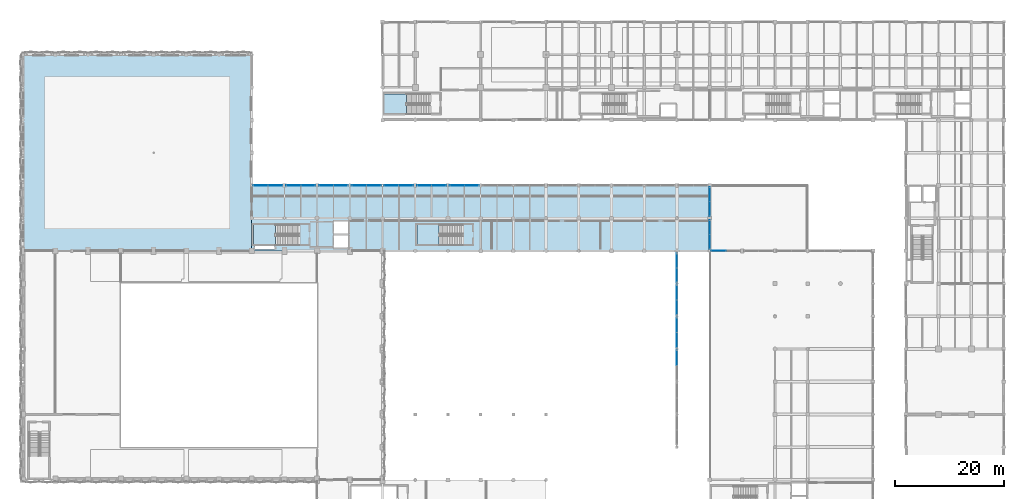
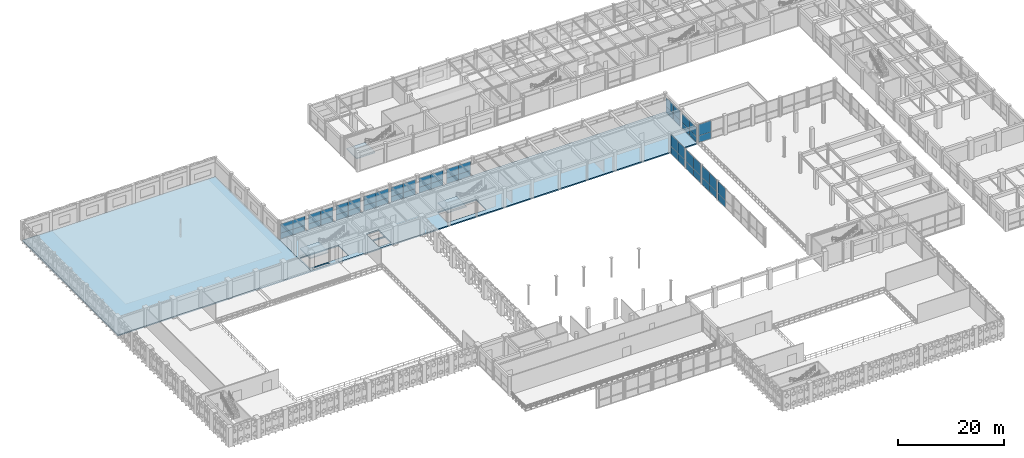
# One storey, part 78 of 116: 52 plates, 5 slabs, 17 elements without a shape of their own.
"""IFC4 building model written with IfcOpenShell, lengths in metres."""

from ifc_helpers import new_model, si_unit, direction, frame, frame_2d, origin, place, context, subcontext, project, spatial, polyline, rectangle, outline, extrude, material, layer, layer_set, type_object, element, aggregate, save


model = new_model("IFC4")

# Units and contexts
model_context = context("Model", 3, precision=1e-05, world=origin(), true_north=direction((0.0, 1.0)))
body_context = subcontext(model_context, "Body", "Model", "MODEL_VIEW")
ifc_project = project(units=[si_unit("LENGTHUNIT", "METRE"), si_unit("AREAUNIT", "SQUARE_METRE"), si_unit("VOLUMEUNIT", "CUBIC_METRE"), si_unit("PLANEANGLEUNIT", "RADIAN"), si_unit("MASSUNIT", "GRAM", prefix="KILO"), si_unit("THERMODYNAMICTEMPERATUREUNIT", "KELVIN"), si_unit("POWERUNIT", "WATT")], contexts=[model_context])

# Site, building, storey
site_placement = place(None, origin())
site = spatial("IfcSite", under=ifc_project, at=site_placement, CompositionType="ELEMENT")
building_placement = place(site_placement, origin())
building = spatial("IfcBuilding", under=site, at=building_placement, Name="Phaisarnlok Congress Hotel", CompositionType="ELEMENT")
storey_placement = place(building_placement, frame((0.0, 0.0, 10.5)))
storey = spatial("IfcBuildingStorey", under=building, at=storey_placement, Name="L02", CompositionType="ELEMENT", Elevation=10.5)

# Curtain wall, plates
ifc_material_1 = material(Name="Thermally Broken Unitised Aluminium & Low-E Glazing", Category="aluminium")
curtain_wall_type_1 = type_object("IfcCurtainWallType", Name="CW-UNIT-26", PredefinedType="NOTDEFINED", material=ifc_material_1)
curtain_wall_1_placement = place(storey_placement, origin())
curtain_wall_1 = element("IfcCurtainWall", 1, at=curtain_wall_1_placement, inside=storey, type_object=curtain_wall_type_1, Name="Unitised curtain wall CW-26 (L02)", PredefinedType="NOTDEFINED")
ifc_material_2 = material(Name="Double Low-E Insulated Glazing", Category="glass")
ifc_layer_1 = layer(ifc_material_2, 0.028076171875, Name="Double Low-E Insulated Glazing")
ifc_layer_set_1 = layer_set([ifc_layer_1], Name="Double Low-E Insulated Glazing")
plate_type_1 = type_object("IfcPlateType", Name="CWP-GLZ-28", PredefinedType="CURTAIN_PANEL", material=ifc_layer_set_1)
plate_1_placement = place(storey_placement, frame((128.93701171875, 84.0, 0.0400390625), z_axis=(0.0, 0.0, 1.0), x_axis=(-1.0, 0.0, 0.0)))
plate_1 = element("IfcPlate", 2, at=plate_1_placement, type_object=plate_type_1, Name="Glazed curtain panel CWP-01", PredefinedType="CURTAIN_PANEL", context=body_context, shape_type="SweptSolid", body=[
    extrude(rectangle(XDim=2.657958984375, YDim=0.028076171875, at=frame_2d((1.3291015625, 0.0))), origin(), (0.0, 0.0, 1.0), 1.571044921875),
])
plate_2_placement = place(storey_placement, frame((128.93701171875, 84.0, 1.611083984375), z_axis=(0.0, 0.0, 1.0), x_axis=(-1.0, 0.0, 0.0)))
plate_2 = element("IfcPlate", 3, at=plate_2_placement, type_object=plate_type_1, Name="Glazed curtain panel CWP-01", PredefinedType="CURTAIN_PANEL", context=body_context, shape_type="SweptSolid", body=[
    extrude(rectangle(XDim=2.657958984375, YDim=0.028076171875, at=frame_2d((1.3291015625, 0.0))), origin(), (0.0, 0.0, 1.0), 2.5888671875),
])
aggregate(curtain_wall_1, [plate_1, plate_2])

curtain_wall_type_2 = type_object("IfcCurtainWallType", Name="CW-UNIT-17", PredefinedType="NOTDEFINED", material=ifc_material_1)
curtain_wall_2_placement = place(storey_placement, origin())
curtain_wall_2 = element("IfcCurtainWall", 4, at=curtain_wall_2_placement, inside=storey, type_object=curtain_wall_type_2, Name="Unitised curtain wall CW-17 (L02)", PredefinedType="NOTDEFINED")
plate_3_placement = place(storey_placement, frame((126.0, 84.279052734375, 0.0400390625), z_axis=(0.0, 0.0, 1.0), x_axis=(0.0, 1.0, 0.0)))
plate_3 = element("IfcPlate", 5, at=plate_3_placement, type_object=plate_type_1, Name="Glazed curtain panel CWP-01", PredefinedType="CURTAIN_PANEL", context=body_context, shape_type="SweptSolid", body=[
    extrude(rectangle(XDim=2.657958984375, YDim=0.028076171875, at=frame_2d((1.3291015625, 0.0))), origin(), (0.0, 0.0, 1.0), 1.293701171875),
])
plate_4_placement = place(storey_placement, frame((126.0, 84.279052734375, 1.333740234375), z_axis=(0.0, 0.0, 1.0), x_axis=(0.0, 1.0, 0.0)))
plate_4 = element("IfcPlate", 6, at=plate_4_placement, type_object=plate_type_1, Name="Glazed curtain panel CWP-01", PredefinedType="CURTAIN_PANEL", context=body_context, shape_type="SweptSolid", body=[
    extrude(rectangle(XDim=2.657958984375, YDim=0.028076171875, at=frame_2d((1.3291015625, 0.0))), origin(), (0.0, 0.0, 1.0), 2.13623046875),
])
plate_5_placement = place(storey_placement, frame((126.0, 86.967041015625, 0.0400390625), z_axis=(0.0, 0.0, 1.0), x_axis=(0.0, 1.0, 0.0)))
plate_5 = element("IfcPlate", 7, at=plate_5_placement, type_object=plate_type_1, Name="Glazed curtain panel CWP-01", PredefinedType="CURTAIN_PANEL", context=body_context, shape_type="SweptSolid", body=[
    extrude(rectangle(XDim=2.657958984375, YDim=0.028076171875, at=frame_2d((1.3291015625, 0.0))), origin(), (0.0, 0.0, 1.0), 1.293701171875),
])
plate_6_placement = place(storey_placement, frame((126.0, 86.967041015625, 1.333740234375), z_axis=(0.0, 0.0, 1.0), x_axis=(0.0, 1.0, 0.0)))
plate_6 = element("IfcPlate", 8, at=plate_6_placement, type_object=plate_type_1, Name="Glazed curtain panel CWP-01", PredefinedType="CURTAIN_PANEL", context=body_context, shape_type="SweptSolid", body=[
    extrude(rectangle(XDim=2.657958984375, YDim=0.028076171875, at=frame_2d((1.3291015625, 0.0))), origin(), (0.0, 0.0, 1.0), 2.13623046875),
])
aggregate(curtain_wall_2, [plate_3, plate_4, plate_5, plate_6])

curtain_wall_type_3 = type_object("IfcCurtainWallType", Name="CW-UNIT-16", PredefinedType="NOTDEFINED", material=ifc_material_1)
curtain_wall_3_placement = place(storey_placement, origin())
curtain_wall_3 = element("IfcCurtainWall", 9, at=curtain_wall_3_placement, inside=storey, type_object=curtain_wall_type_3, Name="Unitised curtain wall CW-16 (L02)", PredefinedType="NOTDEFINED")
plate_7_placement = place(storey_placement, frame((126.0, 90.375, 0.0400390625), z_axis=(0.0, 0.0, 1.0), x_axis=(0.0, 1.0, 0.0)))
plate_7 = element("IfcPlate", 10, at=plate_7_placement, type_object=plate_type_1, Name="Glazed curtain panel CWP-01", PredefinedType="CURTAIN_PANEL", context=body_context, shape_type="SweptSolid", body=[
    extrude(rectangle(XDim=2.62255859375, YDim=0.028076171875, at=frame_2d((1.311279296875, 0.0))), origin(), (0.0, 0.0, 1.0), 1.293701171875),
])
plate_8_placement = place(storey_placement, frame((126.0, 90.375, 1.333740234375), z_axis=(0.0, 0.0, 1.0), x_axis=(0.0, 1.0, 0.0)))
plate_8 = element("IfcPlate", 11, at=plate_8_placement, type_object=plate_type_1, Name="Glazed curtain panel CWP-01", PredefinedType="CURTAIN_PANEL", context=body_context, shape_type="SweptSolid", body=[
    extrude(rectangle(XDim=2.62255859375, YDim=0.028076171875, at=frame_2d((1.311279296875, 0.0))), origin(), (0.0, 0.0, 1.0), 2.13623046875),
])
plate_9_placement = place(storey_placement, frame((126.0, 93.027587890625, 0.0400390625), z_axis=(0.0, 0.0, 1.0), x_axis=(0.0, 1.0, 0.0)))
plate_9 = element("IfcPlate", 12, at=plate_9_placement, type_object=plate_type_1, Name="Glazed curtain panel CWP-01", PredefinedType="CURTAIN_PANEL", context=body_context, shape_type="SweptSolid", body=[
    extrude(rectangle(XDim=2.622314453125, YDim=0.028076171875, at=frame_2d((1.31103515625, 0.0))), origin(), (0.0, 0.0, 1.0), 1.293701171875),
])
plate_10_placement = place(storey_placement, frame((126.0, 93.027587890625, 1.333740234375), z_axis=(0.0, 0.0, 1.0), x_axis=(0.0, 1.0, 0.0)))
plate_10 = element("IfcPlate", 13, at=plate_10_placement, type_object=plate_type_1, Name="Glazed curtain panel CWP-01", PredefinedType="CURTAIN_PANEL", context=body_context, shape_type="SweptSolid", body=[
    extrude(rectangle(XDim=2.622314453125, YDim=0.028076171875, at=frame_2d((1.31103515625, 0.0))), origin(), (0.0, 0.0, 1.0), 2.13623046875),
])
aggregate(curtain_wall_3, [plate_7, plate_8, plate_9, plate_10])

curtain_wall_4_placement = place(storey_placement, origin())
curtain_wall_4 = element("IfcCurtainWall", 14, at=curtain_wall_4_placement, inside=storey, type_object=curtain_wall_type_3, Name="Unitised curtain wall CW-16 (L02)", PredefinedType="NOTDEFINED")
plate_11_placement = place(storey_placement, frame((83.625, 96.0, 0.0400390625), z_axis=(0.0, 0.0, 1.0), x_axis=(-1.0, 0.0, 0.0)))
plate_11 = element("IfcPlate", 15, at=plate_11_placement, type_object=plate_type_1, Name="Glazed curtain panel CWP-01", PredefinedType="CURTAIN_PANEL", context=body_context, shape_type="SweptSolid", body=[
    extrude(rectangle(XDim=2.62255859375, YDim=0.028076171875, at=frame_2d((1.311279296875, 0.0))), origin(), (0.0, 0.0, 1.0), 1.2861328125),
])
plate_12_placement = place(storey_placement, frame((83.625, 96.0, 1.326171875), z_axis=(0.0, 0.0, 1.0), x_axis=(-1.0, 0.0, 0.0)))
plate_12 = element("IfcPlate", 16, at=plate_12_placement, type_object=plate_type_1, Name="Glazed curtain panel CWP-01", PredefinedType="CURTAIN_PANEL", context=body_context, shape_type="SweptSolid", body=[
    extrude(rectangle(XDim=2.62255859375, YDim=0.028076171875, at=frame_2d((1.311279296875, 0.0))), origin(), (0.0, 0.0, 1.0), 2.123779296875),
])
plate_13_placement = place(storey_placement, frame((80.972412109375, 96.0, 0.0400390625), z_axis=(0.0, 0.0, 1.0), x_axis=(-1.0, 0.0, 0.0)))
plate_13 = element("IfcPlate", 17, at=plate_13_placement, type_object=plate_type_1, Name="Glazed curtain panel CWP-01", PredefinedType="CURTAIN_PANEL", context=body_context, shape_type="SweptSolid", body=[
    extrude(rectangle(XDim=2.622314453125, YDim=0.028076171875, at=frame_2d((1.31103515625, 0.0))), origin(), (0.0, 0.0, 1.0), 1.2861328125),
])
plate_14_placement = place(storey_placement, frame((80.972412109375, 96.0, 1.326171875), z_axis=(0.0, 0.0, 1.0), x_axis=(-1.0, 0.0, 0.0)))
plate_14 = element("IfcPlate", 18, at=plate_14_placement, type_object=plate_type_1, Name="Glazed curtain panel CWP-01", PredefinedType="CURTAIN_PANEL", context=body_context, shape_type="SweptSolid", body=[
    extrude(rectangle(XDim=2.622314453125, YDim=0.028076171875, at=frame_2d((1.31103515625, 0.0))), origin(), (0.0, 0.0, 1.0), 2.123779296875),
])
aggregate(curtain_wall_4, [plate_11, plate_12, plate_13, plate_14])

curtain_wall_5_placement = place(storey_placement, origin())
curtain_wall_5 = element("IfcCurtainWall", 19, at=curtain_wall_5_placement, inside=storey, type_object=curtain_wall_type_3, Name="Unitised curtain wall CW-16 (L02)", PredefinedType="NOTDEFINED")
plate_15_placement = place(storey_placement, frame((77.64990234375, 96.0, 0.0400390625), z_axis=(0.0, 0.0, 1.0), x_axis=(-1.0, 0.0, 0.0)))
plate_15 = element("IfcPlate", 20, at=plate_15_placement, type_object=plate_type_1, Name="Glazed curtain panel CWP-01", PredefinedType="CURTAIN_PANEL", context=body_context, shape_type="SweptSolid", body=[
    extrude(rectangle(XDim=2.622314453125, YDim=0.028076171875, at=frame_2d((1.31103515625, 0.0))), origin(), (0.0, 0.0, 1.0), 1.2861328125),
])
plate_16_placement = place(storey_placement, frame((77.64990234375, 96.0, 1.326171875), z_axis=(0.0, 0.0, 1.0), x_axis=(-1.0, 0.0, 0.0)))
plate_16 = element("IfcPlate", 21, at=plate_16_placement, type_object=plate_type_1, Name="Glazed curtain panel CWP-01", PredefinedType="CURTAIN_PANEL", context=body_context, shape_type="SweptSolid", body=[
    extrude(rectangle(XDim=2.622314453125, YDim=0.028076171875, at=frame_2d((1.31103515625, 0.0))), origin(), (0.0, 0.0, 1.0), 2.123779296875),
])
plate_17_placement = place(storey_placement, frame((74.99755859375, 96.0, 0.0400390625), z_axis=(0.0, 0.0, 1.0), x_axis=(-1.0, 0.0, 0.0)))
plate_17 = element("IfcPlate", 22, at=plate_17_placement, type_object=plate_type_1, Name="Glazed curtain panel CWP-01", PredefinedType="CURTAIN_PANEL", context=body_context, shape_type="SweptSolid", body=[
    extrude(rectangle(XDim=2.62255859375, YDim=0.028076171875, at=frame_2d((1.311279296875, 0.0))), origin(), (0.0, 0.0, 1.0), 1.2861328125),
])
plate_18_placement = place(storey_placement, frame((74.99755859375, 96.0, 1.326171875), z_axis=(0.0, 0.0, 1.0), x_axis=(-1.0, 0.0, 0.0)))
plate_18 = element("IfcPlate", 23, at=plate_18_placement, type_object=plate_type_1, Name="Glazed curtain panel CWP-01", PredefinedType="CURTAIN_PANEL", context=body_context, shape_type="SweptSolid", body=[
    extrude(rectangle(XDim=2.62255859375, YDim=0.028076171875, at=frame_2d((1.311279296875, 0.0))), origin(), (0.0, 0.0, 1.0), 2.123779296875),
])
aggregate(curtain_wall_5, [plate_15, plate_16, plate_17, plate_18])

curtain_wall_6_placement = place(storey_placement, origin())
curtain_wall_6 = element("IfcCurtainWall", 24, at=curtain_wall_6_placement, inside=storey, type_object=curtain_wall_type_2, Name="Unitised curtain wall CW-17 (L02)", PredefinedType="NOTDEFINED")
plate_19_placement = place(storey_placement, frame((71.625, 96.0, 0.0400390625), z_axis=(0.0, 0.0, 1.0), x_axis=(-1.0, 0.0, 0.0)))
plate_19 = element("IfcPlate", 25, at=plate_19_placement, type_object=plate_type_1, Name="Glazed curtain panel CWP-01", PredefinedType="CURTAIN_PANEL", context=body_context, shape_type="SweptSolid", body=[
    extrude(rectangle(XDim=2.657958984375, YDim=0.028076171875, at=frame_2d((1.3291015625, 0.0))), origin(), (0.0, 0.0, 1.0), 1.2861328125),
])
plate_20_placement = place(storey_placement, frame((71.625, 96.0, 1.326171875), z_axis=(0.0, 0.0, 1.0), x_axis=(-1.0, 0.0, 0.0)))
plate_20 = element("IfcPlate", 26, at=plate_20_placement, type_object=plate_type_1, Name="Glazed curtain panel CWP-01", PredefinedType="CURTAIN_PANEL", context=body_context, shape_type="SweptSolid", body=[
    extrude(rectangle(XDim=2.657958984375, YDim=0.028076171875, at=frame_2d((1.3291015625, 0.0))), origin(), (0.0, 0.0, 1.0), 2.123779296875),
])
plate_21_placement = place(storey_placement, frame((68.93701171875, 96.0, 0.0400390625), z_axis=(0.0, 0.0, 1.0), x_axis=(-1.0, 0.0, 0.0)))
plate_21 = element("IfcPlate", 27, at=plate_21_placement, type_object=plate_type_1, Name="Glazed curtain panel CWP-01", PredefinedType="CURTAIN_PANEL", context=body_context, shape_type="SweptSolid", body=[
    extrude(rectangle(XDim=2.657958984375, YDim=0.028076171875, at=frame_2d((1.3291015625, 0.0))), origin(), (0.0, 0.0, 1.0), 1.2861328125),
])
plate_22_placement = place(storey_placement, frame((68.93701171875, 96.0, 1.326171875), z_axis=(0.0, 0.0, 1.0), x_axis=(-1.0, 0.0, 0.0)))
plate_22 = element("IfcPlate", 28, at=plate_22_placement, type_object=plate_type_1, Name="Glazed curtain panel CWP-01", PredefinedType="CURTAIN_PANEL", context=body_context, shape_type="SweptSolid", body=[
    extrude(rectangle(XDim=2.657958984375, YDim=0.028076171875, at=frame_2d((1.3291015625, 0.0))), origin(), (0.0, 0.0, 1.0), 2.123779296875),
])
aggregate(curtain_wall_6, [plate_19, plate_20, plate_21, plate_22])

curtain_wall_7_placement = place(storey_placement, origin())
curtain_wall_7 = element("IfcCurtainWall", 29, at=curtain_wall_7_placement, inside=storey, type_object=curtain_wall_type_2, Name="Unitised curtain wall CW-17 (L02)", PredefinedType="NOTDEFINED")
plate_23_placement = place(storey_placement, frame((65.720947265625, 96.0, 0.0400390625), z_axis=(0.0, 0.0, 1.0), x_axis=(-1.0, 0.0, 0.0)))
plate_23 = element("IfcPlate", 30, at=plate_23_placement, type_object=plate_type_1, Name="Glazed curtain panel CWP-01", PredefinedType="CURTAIN_PANEL", context=body_context, shape_type="SweptSolid", body=[
    extrude(rectangle(XDim=2.657958984375, YDim=0.028076171875, at=frame_2d((1.3291015625, 0.0))), origin(), (0.0, 0.0, 1.0), 1.2861328125),
])
plate_24_placement = place(storey_placement, frame((65.720947265625, 96.0, 1.326171875), z_axis=(0.0, 0.0, 1.0), x_axis=(-1.0, 0.0, 0.0)))
plate_24 = element("IfcPlate", 31, at=plate_24_placement, type_object=plate_type_1, Name="Glazed curtain panel CWP-01", PredefinedType="CURTAIN_PANEL", context=body_context, shape_type="SweptSolid", body=[
    extrude(rectangle(XDim=2.657958984375, YDim=0.028076171875, at=frame_2d((1.3291015625, 0.0))), origin(), (0.0, 0.0, 1.0), 2.123779296875),
])
plate_25_placement = place(storey_placement, frame((63.032958984375, 96.0, 0.0400390625), z_axis=(0.0, 0.0, 1.0), x_axis=(-1.0, 0.0, 0.0)))
plate_25 = element("IfcPlate", 32, at=plate_25_placement, type_object=plate_type_1, Name="Glazed curtain panel CWP-01", PredefinedType="CURTAIN_PANEL", context=body_context, shape_type="SweptSolid", body=[
    extrude(rectangle(XDim=2.657958984375, YDim=0.028076171875, at=frame_2d((1.3291015625, 0.0))), origin(), (0.0, 0.0, 1.0), 1.2861328125),
])
plate_26_placement = place(storey_placement, frame((63.032958984375, 96.0, 1.326171875), z_axis=(0.0, 0.0, 1.0), x_axis=(-1.0, 0.0, 0.0)))
plate_26 = element("IfcPlate", 33, at=plate_26_placement, type_object=plate_type_1, Name="Glazed curtain panel CWP-01", PredefinedType="CURTAIN_PANEL", context=body_context, shape_type="SweptSolid", body=[
    extrude(rectangle(XDim=2.657958984375, YDim=0.028076171875, at=frame_2d((1.3291015625, 0.0))), origin(), (0.0, 0.0, 1.0), 2.123779296875),
])
aggregate(curtain_wall_7, [plate_23, plate_24, plate_25, plate_26])

curtain_wall_8_placement = place(storey_placement, origin())
curtain_wall_8 = element("IfcCurtainWall", 34, at=curtain_wall_8_placement, inside=storey, type_object=curtain_wall_type_3, Name="Unitised curtain wall CW-16 (L02)", PredefinedType="NOTDEFINED")
plate_27_placement = place(storey_placement, frame((59.625, 96.0, 0.0400390625), z_axis=(0.0, 0.0, 1.0), x_axis=(-1.0, 0.0, 0.0)))
plate_27 = element("IfcPlate", 35, at=plate_27_placement, type_object=plate_type_1, Name="Glazed curtain panel CWP-01", PredefinedType="CURTAIN_PANEL", context=body_context, shape_type="SweptSolid", body=[
    extrude(rectangle(XDim=2.62255859375, YDim=0.028076171875, at=frame_2d((1.311279296875, 0.0))), origin(), (0.0, 0.0, 1.0), 1.2861328125),
])
plate_28_placement = place(storey_placement, frame((59.625, 96.0, 1.326171875), z_axis=(0.0, 0.0, 1.0), x_axis=(-1.0, 0.0, 0.0)))
plate_28 = element("IfcPlate", 36, at=plate_28_placement, type_object=plate_type_1, Name="Glazed curtain panel CWP-01", PredefinedType="CURTAIN_PANEL", context=body_context, shape_type="SweptSolid", body=[
    extrude(rectangle(XDim=2.62255859375, YDim=0.028076171875, at=frame_2d((1.311279296875, 0.0))), origin(), (0.0, 0.0, 1.0), 2.123779296875),
])
plate_29_placement = place(storey_placement, frame((56.972412109375, 96.0, 0.0400390625), z_axis=(0.0, 0.0, 1.0), x_axis=(-1.0, 0.0, 0.0)))
plate_29 = element("IfcPlate", 37, at=plate_29_placement, type_object=plate_type_1, Name="Glazed curtain panel CWP-01", PredefinedType="CURTAIN_PANEL", context=body_context, shape_type="SweptSolid", body=[
    extrude(rectangle(XDim=2.622314453125, YDim=0.028076171875, at=frame_2d((1.31103515625, 0.0))), origin(), (0.0, 0.0, 1.0), 1.2861328125),
])
plate_30_placement = place(storey_placement, frame((56.972412109375, 96.0, 1.326171875), z_axis=(0.0, 0.0, 1.0), x_axis=(-1.0, 0.0, 0.0)))
plate_30 = element("IfcPlate", 38, at=plate_30_placement, type_object=plate_type_1, Name="Glazed curtain panel CWP-01", PredefinedType="CURTAIN_PANEL", context=body_context, shape_type="SweptSolid", body=[
    extrude(rectangle(XDim=2.622314453125, YDim=0.028076171875, at=frame_2d((1.31103515625, 0.0))), origin(), (0.0, 0.0, 1.0), 2.123779296875),
])
aggregate(curtain_wall_8, [plate_27, plate_28, plate_29, plate_30])

curtain_wall_9_placement = place(storey_placement, origin())
curtain_wall_9 = element("IfcCurtainWall", 39, at=curtain_wall_9_placement, inside=storey, type_object=curtain_wall_type_3, Name="Unitised curtain wall CW-16 (L02)", PredefinedType="NOTDEFINED")
plate_31_placement = place(storey_placement, frame((53.64990234375, 96.0, 0.0400390625), z_axis=(0.0, 0.0, 1.0), x_axis=(-1.0, 0.0, 0.0)))
plate_31 = element("IfcPlate", 40, at=plate_31_placement, type_object=plate_type_1, Name="Glazed curtain panel CWP-01", PredefinedType="CURTAIN_PANEL", context=body_context, shape_type="SweptSolid", body=[
    extrude(rectangle(XDim=2.622314453125, YDim=0.028076171875, at=frame_2d((1.31103515625, 0.0))), origin(), (0.0, 0.0, 1.0), 1.2861328125),
])
plate_32_placement = place(storey_placement, frame((53.64990234375, 96.0, 1.326171875), z_axis=(0.0, 0.0, 1.0), x_axis=(-1.0, 0.0, 0.0)))
plate_32 = element("IfcPlate", 41, at=plate_32_placement, type_object=plate_type_1, Name="Glazed curtain panel CWP-01", PredefinedType="CURTAIN_PANEL", context=body_context, shape_type="SweptSolid", body=[
    extrude(rectangle(XDim=2.622314453125, YDim=0.028076171875, at=frame_2d((1.31103515625, 0.0))), origin(), (0.0, 0.0, 1.0), 2.123779296875),
])
plate_33_placement = place(storey_placement, frame((50.99755859375, 96.0, 0.0400390625), z_axis=(0.0, 0.0, 1.0), x_axis=(-1.0, 0.0, 0.0)))
plate_33 = element("IfcPlate", 42, at=plate_33_placement, type_object=plate_type_1, Name="Glazed curtain panel CWP-01", PredefinedType="CURTAIN_PANEL", context=body_context, shape_type="SweptSolid", body=[
    extrude(rectangle(XDim=2.62255859375, YDim=0.028076171875, at=frame_2d((1.311279296875, 0.0))), origin(), (0.0, 0.0, 1.0), 1.2861328125),
])
plate_34_placement = place(storey_placement, frame((50.99755859375, 96.0, 1.326171875), z_axis=(0.0, 0.0, 1.0), x_axis=(-1.0, 0.0, 0.0)))
plate_34 = element("IfcPlate", 43, at=plate_34_placement, type_object=plate_type_1, Name="Glazed curtain panel CWP-01", PredefinedType="CURTAIN_PANEL", context=body_context, shape_type="SweptSolid", body=[
    extrude(rectangle(XDim=2.62255859375, YDim=0.028076171875, at=frame_2d((1.311279296875, 0.0))), origin(), (0.0, 0.0, 1.0), 2.123779296875),
])
aggregate(curtain_wall_9, [plate_31, plate_32, plate_33, plate_34])

curtain_wall_10_placement = place(storey_placement, origin())
curtain_wall_10 = element("IfcCurtainWall", 44, at=curtain_wall_10_placement, inside=storey, type_object=curtain_wall_type_2, Name="Unitised curtain wall CW-17 (L02)", PredefinedType="NOTDEFINED")
plate_35_placement = place(storey_placement, frame((47.625, 96.0, 0.0400390625), z_axis=(0.0, 0.0, 1.0), x_axis=(-1.0, 0.0, 0.0)))
plate_35 = element("IfcPlate", 45, at=plate_35_placement, type_object=plate_type_1, Name="Glazed curtain panel CWP-01", PredefinedType="CURTAIN_PANEL", context=body_context, shape_type="SweptSolid", body=[
    extrude(rectangle(XDim=2.657958984375, YDim=0.028076171875, at=frame_2d((1.3291015625, 0.0))), origin(), (0.0, 0.0, 1.0), 1.2861328125),
])
plate_36_placement = place(storey_placement, frame((47.625, 96.0, 1.326171875), z_axis=(0.0, 0.0, 1.0), x_axis=(-1.0, 0.0, 0.0)))
plate_36 = element("IfcPlate", 46, at=plate_36_placement, type_object=plate_type_1, Name="Glazed curtain panel CWP-01", PredefinedType="CURTAIN_PANEL", context=body_context, shape_type="SweptSolid", body=[
    extrude(rectangle(XDim=2.657958984375, YDim=0.028076171875, at=frame_2d((1.3291015625, 0.0))), origin(), (0.0, 0.0, 1.0), 2.123779296875),
])
plate_37_placement = place(storey_placement, frame((44.93701171875, 96.0, 0.0400390625), z_axis=(0.0, 0.0, 1.0), x_axis=(-1.0, 0.0, 0.0)))
plate_37 = element("IfcPlate", 47, at=plate_37_placement, type_object=plate_type_1, Name="Glazed curtain panel CWP-01", PredefinedType="CURTAIN_PANEL", context=body_context, shape_type="SweptSolid", body=[
    extrude(rectangle(XDim=2.657958984375, YDim=0.028076171875, at=frame_2d((1.3291015625, 0.0))), origin(), (0.0, 0.0, 1.0), 1.2861328125),
])
plate_38_placement = place(storey_placement, frame((44.93701171875, 96.0, 1.326171875), z_axis=(0.0, 0.0, 1.0), x_axis=(-1.0, 0.0, 0.0)))
plate_38 = element("IfcPlate", 48, at=plate_38_placement, type_object=plate_type_1, Name="Glazed curtain panel CWP-01", PredefinedType="CURTAIN_PANEL", context=body_context, shape_type="SweptSolid", body=[
    extrude(rectangle(XDim=2.657958984375, YDim=0.028076171875, at=frame_2d((1.3291015625, 0.0))), origin(), (0.0, 0.0, 1.0), 2.123779296875),
])
aggregate(curtain_wall_10, [plate_35, plate_36, plate_37, plate_38])

curtain_wall_type_4 = type_object("IfcCurtainWallType", Name="CW-UNIT-44", PredefinedType="NOTDEFINED", material=ifc_material_1)
curtain_wall_11_placement = place(storey_placement, origin())
curtain_wall_11 = element("IfcCurtainWall", 49, at=curtain_wall_11_placement, inside=storey, type_object=curtain_wall_type_4, Name="Unitised curtain wall CW-44 (L02)", PredefinedType="NOTDEFINED")
ifc_material_3 = material(Name="Triple Acoustic Solar-Control Glazing", Category="glass")
ifc_layer_2 = layer(ifc_material_3, 0.035888671875, Name="Triple Acoustic Solar-Control Glazing")
ifc_layer_set_2 = layer_set([ifc_layer_2], Name="Triple Acoustic Solar-Control Glazing")
plate_type_2 = type_object("IfcPlateType", Name="CWP-GLZ-36", PredefinedType="CURTAIN_PANEL", material=ifc_layer_set_2)
plate_39_placement = place(storey_placement, frame((120.0, 65.739990234375, 0.030029296875), z_axis=(0.0, 0.0, 1.0), x_axis=(0.0, -1.0, 0.0)))
plate_39 = element("IfcPlate", 50, at=plate_39_placement, type_object=plate_type_2, Name="Glazed curtain panel CWP-02", PredefinedType="CURTAIN_PANEL", context=body_context, shape_type="SweptSolid", body=[
    extrude(rectangle(XDim=2.72509765625, YDim=0.028076171875, at=frame_2d((1.362548828125, 0.0))), origin(), (0.0, 0.0, 1.0), 1.677490234375),
])
plate_40_placement = place(storey_placement, frame((120.0, 65.739990234375, 1.70751953125), z_axis=(0.0, 0.0, 1.0), x_axis=(0.0, -1.0, 0.0)))
plate_40 = element("IfcPlate", 51, at=plate_40_placement, type_object=plate_type_2, Name="Glazed curtain panel CWP-02", PredefinedType="CURTAIN_PANEL", context=body_context, shape_type="SweptSolid", body=[
    extrude(rectangle(XDim=2.72509765625, YDim=0.028076171875, at=frame_2d((1.362548828125, 0.0))), origin(), (0.0, 0.0, 1.0), 2.762451171875),
])
aggregate(curtain_wall_11, [plate_39, plate_40])

curtain_wall_12_placement = place(storey_placement, origin())
curtain_wall_12 = element("IfcCurtainWall", 52, at=curtain_wall_12_placement, inside=storey, type_object=curtain_wall_type_4, Name="Unitised curtain wall CW-44 (L02)", PredefinedType="NOTDEFINED")
plate_41_placement = place(storey_placement, frame((120.0, 71.739990234375, 0.030029296875), z_axis=(0.0, 0.0, 1.0), x_axis=(0.0, -1.0, 0.0)))
plate_41 = element("IfcPlate", 53, at=plate_41_placement, type_object=plate_type_2, Name="Glazed curtain panel CWP-02", PredefinedType="CURTAIN_PANEL", context=body_context, shape_type="SweptSolid", body=[
    extrude(rectangle(XDim=2.72509765625, YDim=0.028076171875, at=frame_2d((1.362548828125, 0.0))), origin(), (0.0, 0.0, 1.0), 1.677490234375),
])
plate_42_placement = place(storey_placement, frame((120.0, 71.739990234375, 1.70751953125), z_axis=(0.0, 0.0, 1.0), x_axis=(0.0, -1.0, 0.0)))
plate_42 = element("IfcPlate", 54, at=plate_42_placement, type_object=plate_type_2, Name="Glazed curtain panel CWP-02", PredefinedType="CURTAIN_PANEL", context=body_context, shape_type="SweptSolid", body=[
    extrude(rectangle(XDim=2.72509765625, YDim=0.028076171875, at=frame_2d((1.362548828125, 0.0))), origin(), (0.0, 0.0, 1.0), 2.762451171875),
])
plate_43_placement = place(storey_placement, frame((120.0, 68.985107421875, 0.030029296875), z_axis=(0.0, 0.0, 1.0), x_axis=(0.0, -1.0, 0.0)))
plate_43 = element("IfcPlate", 55, at=plate_43_placement, type_object=plate_type_2, Name="Glazed curtain panel CWP-02", PredefinedType="CURTAIN_PANEL", context=body_context, shape_type="SweptSolid", body=[
    extrude(rectangle(XDim=2.72509765625, YDim=0.028076171875, at=frame_2d((1.362548828125, 0.0))), origin(), (0.0, 0.0, 1.0), 1.677490234375),
])
plate_44_placement = place(storey_placement, frame((120.0, 68.985107421875, 1.70751953125), z_axis=(0.0, 0.0, 1.0), x_axis=(0.0, -1.0, 0.0)))
plate_44 = element("IfcPlate", 56, at=plate_44_placement, type_object=plate_type_2, Name="Glazed curtain panel CWP-02", PredefinedType="CURTAIN_PANEL", context=body_context, shape_type="SweptSolid", body=[
    extrude(rectangle(XDim=2.72509765625, YDim=0.028076171875, at=frame_2d((1.362548828125, 0.0))), origin(), (0.0, 0.0, 1.0), 2.762451171875),
])
aggregate(curtain_wall_12, [plate_41, plate_42, plate_43, plate_44])

curtain_wall_13_placement = place(storey_placement, origin())
curtain_wall_13 = element("IfcCurtainWall", 57, at=curtain_wall_13_placement, inside=storey, type_object=curtain_wall_type_4, Name="Unitised curtain wall CW-44 (L02)", PredefinedType="NOTDEFINED")
plate_45_placement = place(storey_placement, frame((120.0, 77.739990234375, 0.030029296875), z_axis=(0.0, 0.0, 1.0), x_axis=(0.0, -1.0, 0.0)))
plate_45 = element("IfcPlate", 58, at=plate_45_placement, type_object=plate_type_2, Name="Glazed curtain panel CWP-02", PredefinedType="CURTAIN_PANEL", context=body_context, shape_type="SweptSolid", body=[
    extrude(rectangle(XDim=2.72509765625, YDim=0.028076171875, at=frame_2d((1.362548828125, 0.0))), origin(), (0.0, 0.0, 1.0), 1.677490234375),
])
plate_46_placement = place(storey_placement, frame((120.0, 77.739990234375, 1.70751953125), z_axis=(0.0, 0.0, 1.0), x_axis=(0.0, -1.0, 0.0)))
plate_46 = element("IfcPlate", 59, at=plate_46_placement, type_object=plate_type_2, Name="Glazed curtain panel CWP-02", PredefinedType="CURTAIN_PANEL", context=body_context, shape_type="SweptSolid", body=[
    extrude(rectangle(XDim=2.72509765625, YDim=0.028076171875, at=frame_2d((1.362548828125, 0.0))), origin(), (0.0, 0.0, 1.0), 2.762451171875),
])
plate_47_placement = place(storey_placement, frame((120.0, 74.985107421875, 0.030029296875), z_axis=(0.0, 0.0, 1.0), x_axis=(0.0, -1.0, 0.0)))
plate_47 = element("IfcPlate", 60, at=plate_47_placement, type_object=plate_type_2, Name="Glazed curtain panel CWP-02", PredefinedType="CURTAIN_PANEL", context=body_context, shape_type="SweptSolid", body=[
    extrude(rectangle(XDim=2.72509765625, YDim=0.028076171875, at=frame_2d((1.362548828125, 0.0))), origin(), (0.0, 0.0, 1.0), 1.677490234375),
])
plate_48_placement = place(storey_placement, frame((120.0, 74.985107421875, 1.70751953125), z_axis=(0.0, 0.0, 1.0), x_axis=(0.0, -1.0, 0.0)))
plate_48 = element("IfcPlate", 61, at=plate_48_placement, type_object=plate_type_2, Name="Glazed curtain panel CWP-02", PredefinedType="CURTAIN_PANEL", context=body_context, shape_type="SweptSolid", body=[
    extrude(rectangle(XDim=2.72509765625, YDim=0.028076171875, at=frame_2d((1.362548828125, 0.0))), origin(), (0.0, 0.0, 1.0), 2.762451171875),
])
aggregate(curtain_wall_13, [plate_45, plate_46, plate_47, plate_48])

curtain_wall_type_5 = type_object("IfcCurtainWallType", Name="CW-UNIT-41", PredefinedType="NOTDEFINED", material=ifc_material_1)
curtain_wall_14_placement = place(storey_placement, origin())
curtain_wall_14 = element("IfcCurtainWall", 62, at=curtain_wall_14_placement, inside=storey, type_object=curtain_wall_type_5, Name="Unitised curtain wall CW-41 (L02)", PredefinedType="NOTDEFINED")
plate_49_placement = place(storey_placement, frame((120.0, 83.52001953125, 0.030029296875), z_axis=(0.0, 0.0, 1.0), x_axis=(0.0, -1.0, 0.0)))
plate_49 = element("IfcPlate", 63, at=plate_49_placement, type_object=plate_type_2, Name="Glazed curtain panel CWP-02", PredefinedType="CURTAIN_PANEL", context=body_context, shape_type="SweptSolid", body=[
    extrude(rectangle(XDim=2.614990234375, YDim=0.028076171875, at=frame_2d((1.3076171875, 0.0))), origin(), (0.0, 0.0, 1.0), 1.677490234375),
])
plate_50_placement = place(storey_placement, frame((120.0, 83.52001953125, 1.70751953125), z_axis=(0.0, 0.0, 1.0), x_axis=(0.0, -1.0, 0.0)))
plate_50 = element("IfcPlate", 64, at=plate_50_placement, type_object=plate_type_2, Name="Glazed curtain panel CWP-02", PredefinedType="CURTAIN_PANEL", context=body_context, shape_type="SweptSolid", body=[
    extrude(rectangle(XDim=2.614990234375, YDim=0.028076171875, at=frame_2d((1.3076171875, 0.0))), origin(), (0.0, 0.0, 1.0), 2.762451171875),
])
plate_51_placement = place(storey_placement, frame((120.0, 80.875, 0.030029296875), z_axis=(0.0, 0.0, 1.0), x_axis=(0.0, -1.0, 0.0)))
plate_51 = element("IfcPlate", 65, at=plate_51_placement, type_object=plate_type_2, Name="Glazed curtain panel CWP-02", PredefinedType="CURTAIN_PANEL", context=body_context, shape_type="SweptSolid", body=[
    extrude(rectangle(XDim=2.614990234375, YDim=0.028076171875, at=frame_2d((1.3076171875, 0.0))), origin(), (0.0, 0.0, 1.0), 1.677490234375),
])
plate_52_placement = place(storey_placement, frame((120.0, 80.875, 1.70751953125), z_axis=(0.0, 0.0, 1.0), x_axis=(0.0, -1.0, 0.0)))
plate_52 = element("IfcPlate", 66, at=plate_52_placement, type_object=plate_type_2, Name="Glazed curtain panel CWP-02", PredefinedType="CURTAIN_PANEL", context=body_context, shape_type="SweptSolid", body=[
    extrude(rectangle(XDim=2.614990234375, YDim=0.028076171875, at=frame_2d((1.3076171875, 0.0))), origin(), (0.0, 0.0, 1.0), 2.762451171875),
])
aggregate(curtain_wall_14, [plate_49, plate_50, plate_51, plate_52])

# Slabs
ifc_material_4 = material(Name="Concrete C40/50", Category="concrete")
ifc_layer_3 = layer(ifc_material_4, 0.280029296875, Name="Concrete C40/50")
ifc_layer_set_3 = layer_set([ifc_layer_3], Name="Concrete C40/50")
slab_type_1 = type_object("IfcSlabType", Name="SLB-INT-280", PredefinedType="FLOOR", material=ifc_layer_set_3)
slab_1_placement = place(storey_placement, frame((0.0, 0.0, -0.280029296875)))
element("IfcSlab", 67, at=slab_1_placement, inside=storey, type_object=slab_type_1, Name="Floor slab SL-INT-280 (L02 v3)", PredefinedType="FLOOR", context=body_context, shape_type="SweptSolid", body=[
    extrude(outline(polyline([(42.0, 84.0), (42.0, 120.0), (0.0, 120.0), (0.0, 84.0), (42.0, 84.0)])), origin(), (0.0, 0.0, 1.0), 0.280029296875),
])
slab_2_placement = place(storey_placement, frame((0.0, 0.0, -0.280029296875)))
element("IfcSlab", 68, at=slab_2_placement, inside=storey, type_object=slab_type_1, Name="Floor slab SL-INT-280 (L02 v4_n)", PredefinedType="FLOOR", context=body_context, shape_type="SweptSolid", body=[
    extrude(outline(polyline([(126.0, 84.0), (126.0, 96.0), (42.0, 96.0), (42.0, 84.0), (126.0, 84.0)]), holes=[polyline([(50.719970703125, 88.800048828125), (42.300048828125, 88.800048828125), (42.300048828125, 85.0), (50.719970703125, 85.0), (50.719970703125, 88.800048828125)]), polyline([(80.719970703125, 88.800048828125), (72.300048828125, 88.800048828125), (72.300048828125, 85.0), (80.719970703125, 85.0), (80.719970703125, 88.800048828125)]), polyline([(59.75, 84.60009765625), (59.75, 86.85009765625), (57.10009765625, 86.85009765625), (57.10009765625, 84.60009765625), (59.75, 84.60009765625)]), polyline([(59.75, 87.14990234375), (59.75, 89.39990234375), (57.10009765625, 89.39990234375), (57.10009765625, 87.14990234375), (59.75, 87.14990234375)]), polyline([(46.199951171875, 84.25), (46.199951171875, 84.85009765625), (42.60009765625, 84.85009765625), (42.60009765625, 84.25), (46.199951171875, 84.25)])]), origin(), (0.0, 0.0, 1.0), 0.280029296875),
])

# Stair, slab
stair_type = type_object("IfcStairType", Name="STR-DOG-03", PredefinedType="HALF_TURN_STAIR", material=ifc_material_4)
stair_1_placement = place(storey_placement, origin())
stair_1 = element("IfcStair", 69, at=stair_1_placement, inside=storey, type_object=stair_type, Name="L02 ST-01", PredefinedType="HALF_TURN_STAIR")
ifc_layer_4 = layer(ifc_material_4, 0.199951171875, Name="Concrete C40/50")
ifc_layer_set_4 = layer_set([ifc_layer_4], Name="Concrete C40/50")
slab_type_2 = type_object("IfcSlabType", Name="SLB-LND-200", PredefinedType="LANDING", material=ifc_layer_set_4)
slab_3_placement = place(storey_placement, frame((0.0, 0.0, 2.050048828125)))
slab_3 = element("IfcSlab", 70, at=slab_3_placement, type_object=slab_type_2, Name="ST-01 landing 1", PredefinedType="LANDING", context=body_context, shape_type="SweptSolid", body=[
    extrude(outline(polyline([(46.3798828125, 88.800048828125), (42.300048828125, 88.800048828125), (42.300048828125, 85.0), (46.3798828125, 85.0), (46.3798828125, 88.800048828125)])), origin(), (0.0, 0.0, 1.0), 0.199951171875),
])
aggregate(stair_1, [slab_3])

stair_2_placement = place(storey_placement, origin())
stair_2 = element("IfcStair", 71, at=stair_2_placement, inside=storey, type_object=stair_type, Name="L02 ST-10", PredefinedType="HALF_TURN_STAIR")
slab_4_placement = place(storey_placement, frame((0.0, 0.0, 2.050048828125)))
slab_4 = element("IfcSlab", 72, at=slab_4_placement, type_object=slab_type_2, Name="ST-10 landing 1", PredefinedType="LANDING", context=body_context, shape_type="SweptSolid", body=[
    extrude(outline(polyline([(70.3798828125, 112.800048828125), (66.300048828125, 112.800048828125), (66.300048828125, 109.0), (70.3798828125, 109.0), (70.3798828125, 112.800048828125)])), origin(), (0.0, 0.0, 1.0), 0.199951171875),
])
aggregate(stair_2, [slab_4])

stair_3_placement = place(storey_placement, origin())
stair_3 = element("IfcStair", 73, at=stair_3_placement, inside=storey, type_object=stair_type, Name="L02 ST-11", PredefinedType="HALF_TURN_STAIR")
slab_5_placement = place(storey_placement, frame((0.0, 0.0, 2.050048828125)))
slab_5 = element("IfcSlab", 74, at=slab_5_placement, type_object=slab_type_2, Name="ST-11 landing 1", PredefinedType="LANDING", context=body_context, shape_type="SweptSolid", body=[
    extrude(outline(polyline([(76.3798828125, 88.800048828125), (72.300048828125, 88.800048828125), (72.300048828125, 85.0), (76.3798828125, 85.0), (76.3798828125, 88.800048828125)])), origin(), (0.0, 0.0, 1.0), 0.199951171875),
])
aggregate(stair_3, [slab_5])

save(model, "model.ifc")
